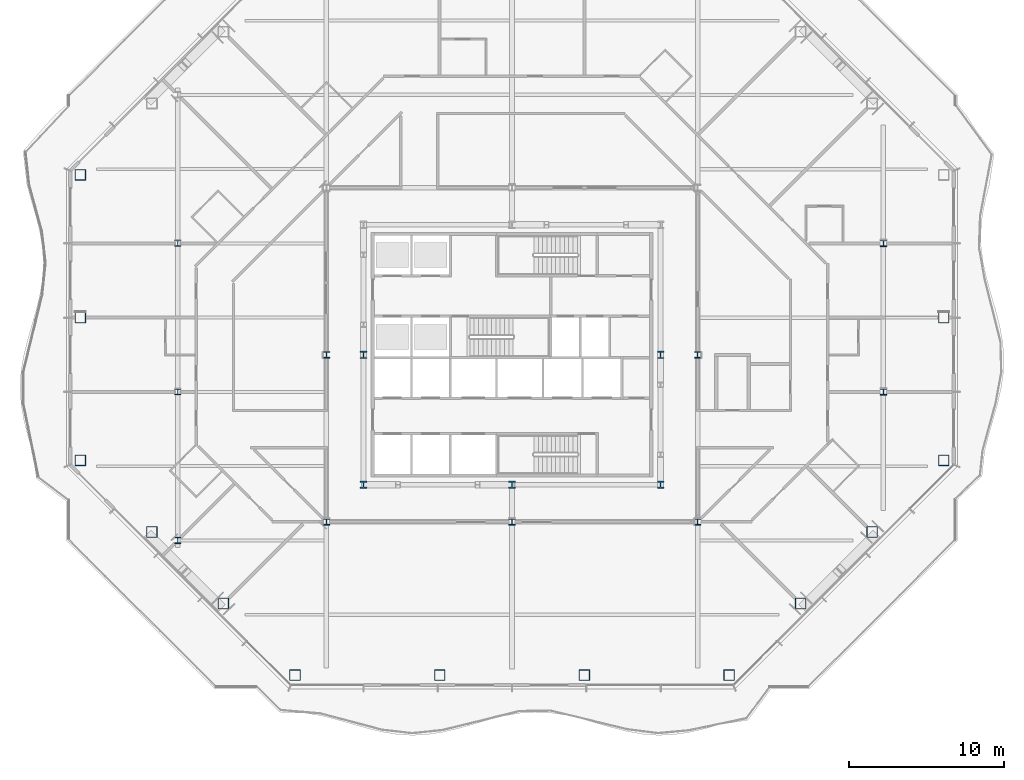
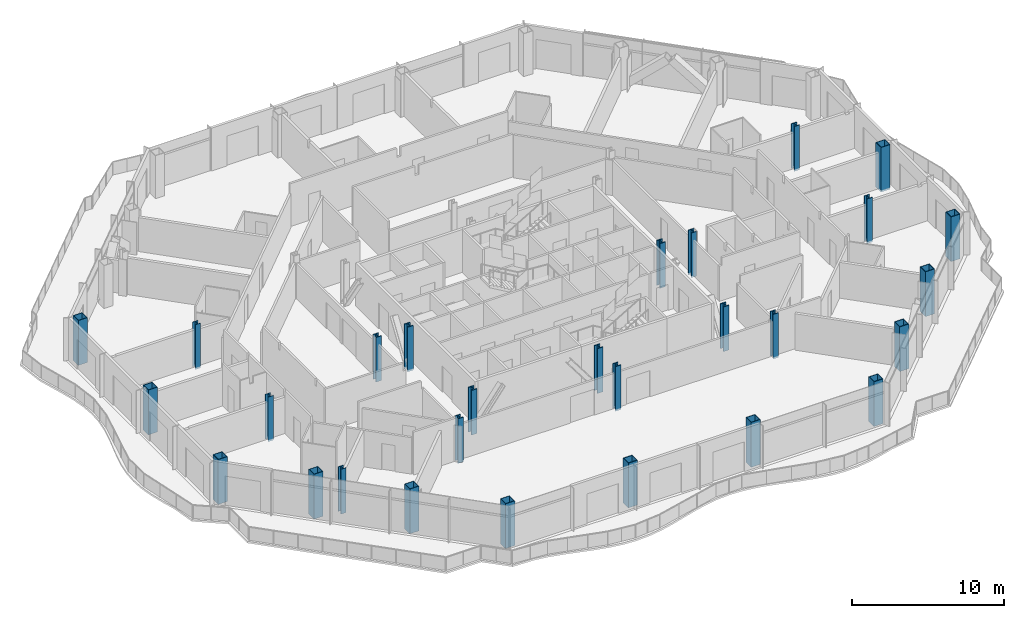
# One storey, part 1 of 24: 28 columns.
"""IFC4 building model written with IfcOpenShell, lengths in metres."""

from ifc_helpers import new_model, si_unit, direction, frame, origin, origin_2d, place, context, subcontext, project, spatial, hollow_rectangle, i_section, extrude, material, material_profile, profile_set, type_object, element, save


model = new_model("IFC4")

# Units and contexts
model_context = context("Model", 3, precision=1e-05, world=origin(), true_north=direction((0.0, 1.0)))
body_context = subcontext(model_context, "Body", "Model", "MODEL_VIEW")
ifc_project = project(units=[si_unit("LENGTHUNIT", "METRE"), si_unit("AREAUNIT", "SQUARE_METRE"), si_unit("VOLUMEUNIT", "CUBIC_METRE"), si_unit("PLANEANGLEUNIT", "RADIAN"), si_unit("MASSUNIT", "GRAM", prefix="KILO")], contexts=[model_context])

# Site, building, storey
site_placement = place(None, origin())
site = spatial("IfcSite", under=ifc_project, at=site_placement, CompositionType="ELEMENT")
building_placement = place(site_placement, origin())
building = spatial("IfcBuilding", under=site, at=building_placement, Name="Cairn Pilgrim Tower", CompositionType="ELEMENT")
storey_placement = place(building_placement, frame((0.0, 0.0, 125.39990234375)))
storey = spatial("IfcBuildingStorey", under=building, at=storey_placement, Name="L30", CompositionType="ELEMENT", Elevation=125.39990234375)

# Columns
ifc_material_1 = material(Name="Structural steel S460M", Category="steel")
ifc_material_profile_1 = material_profile(ifc_material_1, hollow_rectangle(XDim=0.699951171875, YDim=0.699951171875, WallThickness=0.0400390625, at=origin_2d()), Name="BOX 700x700x40")
ifc_profile_set_1 = profile_set([ifc_material_profile_1], Name="Structural steel S460M")
column_type_1 = type_object("IfcColumnType", Name="BOX 700x700x40", PredefinedType="COLUMN", material=ifc_profile_set_1)
for number, where, z_axis, x_axis, name in (
    (1, (-6.8271484375, -18.300048828125, -0.14990234375), (0.0, 0.0, 1.0), (1.0, 0.0, 0.0), "PC2-S1"),
    (2, (2.5244140625, -18.300048828125, -0.14990234375), (0.0, 0.0, 1.0), (1.0, 0.0, 0.0), "PC2-S2"),
    (3, (11.875732421875, -18.300048828125, -0.14990234375), (0.0, 0.0, 1.0), (1.0, 0.0, 0.0), "PC2-S3"),
    (4, (21.227294921875, -18.300048828125, -0.14990234375), (0.0, 0.0, 1.0), (1.0, 0.0, 0.0), "PC2-SE1"),
    (5, (25.8515625, -13.67578125, -0.14990234375), (0.0, 0.0, 1.0), (1.0, 0.0, 0.0), "PC2-SE2"),
    (6, (30.4755859375, -9.051513671875, -0.14990234375), (0.0, 0.0, 1.0), (1.0, 0.0, 0.0), "PC2-SE3"),
    (7, (35.10009765625, -4.42724609375, -0.14990234375), (0.0, 0.0, 1.0), (1.0, 0.0, 0.0), "PC2-E1"),
    (8, (35.10009765625, 4.800048828125, -0.14990234375), (0.0, 0.0, 1.0), (1.0, 0.0, 0.0), "PC2-E2"),
    (9, (-20.699951171875, 14.027099609375, -0.14990234375), (0.0, 0.0, 1.0), (1.0, 0.0, 0.0), "PC2-W1"),
    (10, (-20.699951171875, 4.800048828125, -0.14990234375), (0.0, 0.0, 1.0), (1.0, 0.0, 0.0), "PC2-W2"),
    (11, (-20.699951171875, -4.42724609375, -0.14990234375), (0.0, 0.0, 1.0), (1.0, 0.0, 0.0), "PC2-SW1"),
    (12, (-16.07568359375, -9.051513671875, -0.14990234375), (0.0, 0.0, 1.0), (1.0, 0.0, 0.0), "PC2-SW2"),
    (13, (-11.451416015625, -13.67578125, -0.14990234375), (0.0, 0.0, 1.0), (1.0, 0.0, 0.0), "PC2-SW3"),
):
    element("IfcColumn", number, at=place(storey_placement, frame(where, z_axis=z_axis, x_axis=x_axis)), inside=storey, type_object=column_type_1, Name=name, PredefinedType="COLUMN", context=body_context, shape_type="SweptSolid", body=[
        extrude(hollow_rectangle(XDim=0.699951171875, YDim=0.699951171875, WallThickness=0.0400390625, at=origin_2d()), origin(), (0.0, 0.0, 1.0), 3.60009765625),
    ])
ifc_material_2 = material(Name="Structural steel S355J2", Category="steel")
ifc_material_profile_2 = material_profile(ifc_material_2, i_section(OverallWidth=0.39892578125, OverallDepth=0.39306640625, WebThickness=0.022705078125, FlangeThickness=0.03662109375, FilletRadius=0.014892578125, at=origin_2d()), Name="HD 400x287")
ifc_profile_set_2 = profile_set([ifc_material_profile_2], Name="Structural steel S355J2")
column_type_2 = type_object("IfcColumnType", Name="HD 400x287", PredefinedType="COLUMN", material=ifc_profile_set_2)
for number, where, z_axis, x_axis, name in (
    (14, (-14.39990234375, -9.60009765625, -0.14990234375), (0.0, 0.0, 1.0), (1.0, 0.0, 0.0), "WC-WW-2"),
    (15, (-14.39990234375, 0.0, -0.14990234375), (0.0, 0.0, 1.0), (1.0, 0.0, 0.0), "WC-WW+0"),
    (16, (-14.39990234375, 9.60009765625, -0.14990234375), (0.0, 0.0, 1.0), (1.0, 0.0, 0.0), "WC-WW+2"),
):
    element("IfcColumn", number, at=place(storey_placement, frame(where, z_axis=z_axis, x_axis=x_axis)), inside=storey, type_object=column_type_2, Name=name, PredefinedType="COLUMN", context=body_context, shape_type="SweptSolid", body=[
        extrude(i_section(OverallWidth=0.39892578125, OverallDepth=0.39306640625, WebThickness=0.022705078125, FlangeThickness=0.03662109375, FilletRadius=0.014892578125, at=origin_2d()), origin(), (0.0, 0.0, 1.0), 3.60009765625),
    ])
ifc_material_profile_3 = material_profile(ifc_material_1, i_section(OverallWidth=0.408935546875, OverallDepth=0.425048828125, WebThickness=0.03271484375, FlangeThickness=0.052490234375, FilletRadius=0.014892578125, at=origin_2d()), Name="HD 400x421")
ifc_profile_set_3 = profile_set([ifc_material_profile_3], Name="Structural steel S460M")
column_type_3 = type_object("IfcColumnType", Name="HD 400x421", PredefinedType="COLUMN", material=ifc_profile_set_3)
for number, where, z_axis, x_axis, name in (
    (17, (-4.800048828125, -8.39990234375, -0.14990234375), (0.0, 0.0, 1.0), (1.0, 0.0, 0.0), "IC-1"),
    (18, (7.199951171875, -8.39990234375, -0.14990234375), (0.0, 0.0, 1.0), (1.0, 0.0, 0.0), "IC-2"),
    (19, (19.199951171875, -8.39990234375, -0.14990234375), (0.0, 0.0, 1.0), (1.0, 0.0, 0.0), "IC-3"),
    (20, (-4.800048828125, 2.39990234375, -0.14990234375), (0.0, 0.0, 1.0), (1.0, 0.0, 0.0), "IC-4"),
    (21, (19.199951171875, 2.39990234375, -0.14990234375), (0.0, 0.0, 1.0), (1.0, 0.0, 0.0), "IC-5"),
    (22, (31.199951171875, 0.0, -0.14990234375), (0.0, 0.0, 1.0), (1.0, 0.0, 0.0), "WC-WE+0"),
    (23, (31.199951171875, 9.60009765625, -0.14990234375), (0.0, 0.0, 1.0), (1.0, 0.0, 0.0), "WC-WE+2"),
):
    element("IfcColumn", number, at=place(storey_placement, frame(where, z_axis=z_axis, x_axis=x_axis)), inside=storey, type_object=column_type_3, Name=name, PredefinedType="COLUMN", context=body_context, shape_type="SweptSolid", body=[
        extrude(i_section(OverallWidth=0.408935546875, OverallDepth=0.425048828125, WebThickness=0.03271484375, FlangeThickness=0.052490234375, FilletRadius=0.014892578125, at=origin_2d()), origin(), (0.0, 0.0, 1.0), 3.60009765625),
    ])
ifc_material_profile_4 = material_profile(ifc_material_1, i_section(OverallWidth=0.424072265625, OverallDepth=0.47412109375, WebThickness=0.047607421875, FlangeThickness=0.0771484375, FilletRadius=0.014892578125, at=origin_2d()), Name="HD 400x634")
ifc_profile_set_4 = profile_set([ifc_material_profile_4], Name="Structural steel S460M")
column_type_4 = type_object("IfcColumnType", Name="HD 400x634", PredefinedType="COLUMN", material=ifc_profile_set_4)
for number, where, z_axis, x_axis, name in (
    (24, (-2.39990234375, -6.0, -0.14990234375), (0.0, 0.0, 1.0), (1.0, 0.0, 0.0), "KC-1"),
    (25, (7.199951171875, -6.0, -0.14990234375), (0.0, 0.0, 1.0), (1.0, 0.0, 0.0), "KC-2"),
    (26, (16.800048828125, -6.0, -0.14990234375), (0.0, 0.0, 1.0), (1.0, 0.0, 0.0), "KC-3"),
    (27, (-2.39990234375, 2.39990234375, -0.14990234375), (0.0, 0.0, 1.0), (1.0, 0.0, 0.0), "KC-4"),
    (28, (16.800048828125, 2.39990234375, -0.14990234375), (0.0, 0.0, 1.0), (1.0, 0.0, 0.0), "KC-5"),
):
    element("IfcColumn", number, at=place(storey_placement, frame(where, z_axis=z_axis, x_axis=x_axis)), inside=storey, type_object=column_type_4, Name=name, PredefinedType="COLUMN", context=body_context, shape_type="SweptSolid", body=[
        extrude(i_section(OverallWidth=0.424072265625, OverallDepth=0.47412109375, WebThickness=0.047607421875, FlangeThickness=0.0771484375, FilletRadius=0.014892578125, at=origin_2d()), origin(), (0.0, 0.0, 1.0), 3.60009765625),
    ])

save(model, "model.ifc")
